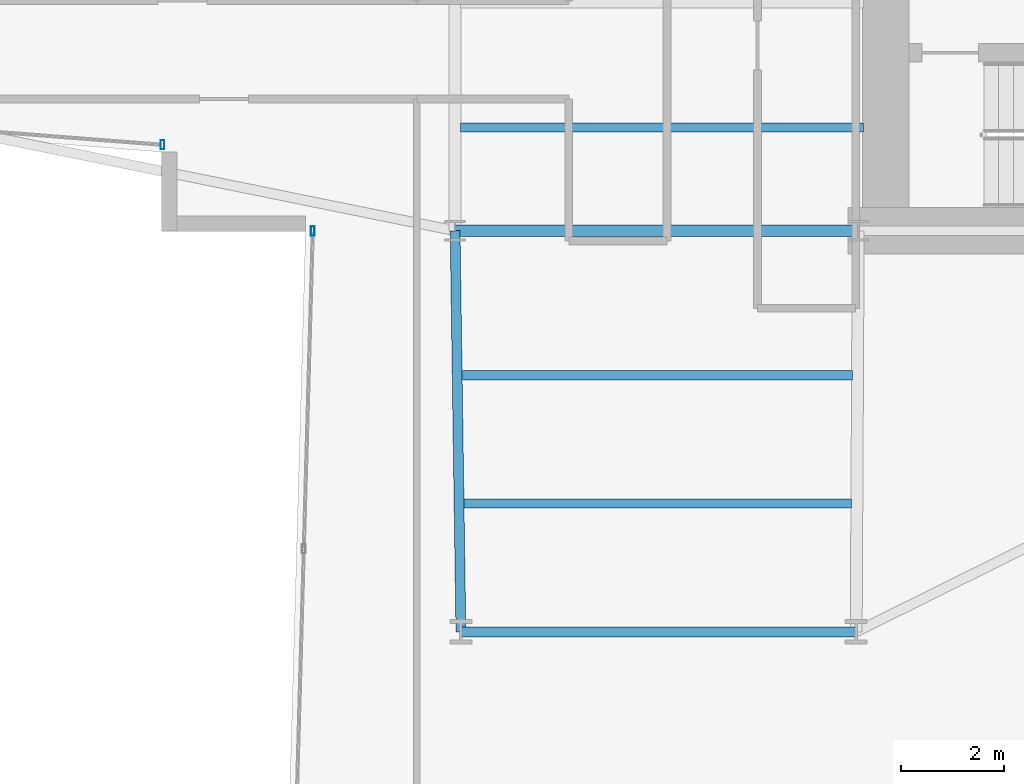
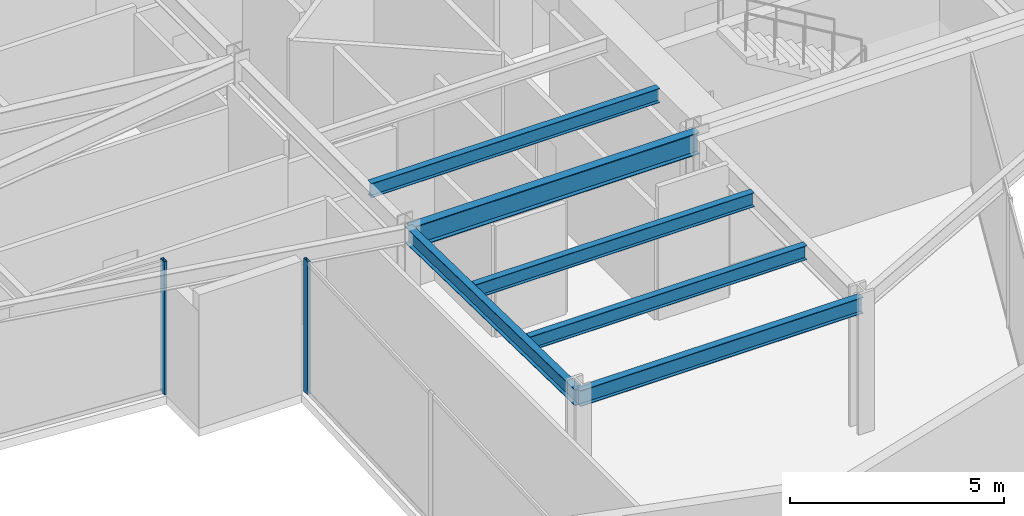
# One storey, part 5 of 30: 6 beams, 2 members, 2 elements without a shape of their own.
"""IFC4 building model written with IfcOpenShell, lengths in metres."""

from ifc_helpers import new_model, si_unit, direction, frame, origin, origin_2d, place, context, subcontext, project, spatial, hollow_rectangle, i_section, extrude, material, layer, layer_set, material_profile, profile_set, type_object, element, aggregate, save


model = new_model("IFC4")

# Units and contexts
model_context = context("Model", 3, precision=1e-05, world=origin(), true_north=direction((0.0, 1.0)))
body_context = subcontext(model_context, "Body", "Model", "MODEL_VIEW")
ifc_project = project(units=[si_unit("LENGTHUNIT", "METRE"), si_unit("AREAUNIT", "SQUARE_METRE"), si_unit("VOLUMEUNIT", "CUBIC_METRE"), si_unit("PLANEANGLEUNIT", "RADIAN"), si_unit("MASSUNIT", "GRAM", prefix="KILO")], contexts=[model_context])

# Site, building, storey
site_placement = place(None, origin())
site = spatial("IfcSite", under=ifc_project, at=site_placement, CompositionType="ELEMENT")
building_placement = place(site_placement, origin())
building = spatial("IfcBuilding", under=site, at=building_placement, Name="Veymaron Broadcast Tower", CompositionType="ELEMENT")
storey_placement = place(building_placement, frame((0.0, 0.0, 49.949951171875)))
storey = spatial("IfcBuildingStorey", under=building, at=storey_placement, Name="L10", CompositionType="ELEMENT", Elevation=49.949951171875)

# Beams
ifc_material_1 = material(Name="Structural steel ASTM A992 Gr 50", Category="steel")
ifc_material_profile_1 = material_profile(ifc_material_1, i_section(OverallWidth=0.22998046875, OverallDepth=0.616943359375, WebThickness=0.01318359375, FlangeThickness=0.022216796875, at=origin_2d()), Name="W610X140")
ifc_profile_set_1 = profile_set([ifc_material_profile_1], Name="Structural steel ASTM A992 Gr 50")
beam_type_1 = type_object("IfcBeamType", Name="BM-FG1", PredefinedType="BEAM", material=ifc_profile_set_1)
beam_1_placement = place(storey_placement, frame((31.199951171875, 16.0, 3.50146484375), z_axis=(1.0, 0.0, 0.0), x_axis=(0.0, 1.0, 0.0)))
element("IfcBeam", 1, at=beam_1_placement, inside=storey, type_object=beam_type_1, Name="L10 primary structural floor girder", PredefinedType="BEAM", context=body_context, shape_type="SweptSolid", body=[
    extrude(i_section(OverallWidth=0.22998046875, OverallDepth=0.616943359375, WebThickness=0.01318359375, FlangeThickness=0.022216796875, at=origin_2d()), origin(), (0.0, 0.0, 1.0), 7.800048828125),
])
ifc_material_profile_2 = material_profile(ifc_material_1, i_section(OverallWidth=0.177978515625, OverallDepth=0.406982421875, WebThickness=0.0078125, FlangeThickness=0.0126953125, at=origin_2d()), Name="W410X60")
ifc_profile_set_2 = profile_set([ifc_material_profile_2], Name="Structural steel ASTM A992 Gr 50")
beam_type_2 = type_object("IfcBeamType", Name="BM-JS1", PredefinedType="JOIST", material=ifc_profile_set_2)
beam_2_placement = place(storey_placement, frame((31.34033203125, 13.206298828125, 3.6064453125), z_axis=(1.0, 0.0, 0.0), x_axis=(0.0, 1.0, 0.0)))
element("IfcBeam", 2, at=beam_2_placement, inside=storey, type_object=beam_type_2, Name="L10 Arm-C secondary joist 1", PredefinedType="JOIST", context=body_context, shape_type="SweptSolid", body=[
    extrude(i_section(OverallWidth=0.177978515625, OverallDepth=0.406982421875, WebThickness=0.0078125, FlangeThickness=0.0126953125, at=origin_2d()), origin(), (0.0, 0.0, 1.0), 7.545166015625),
])
beam_3_placement = place(storey_placement, frame((31.376220703125, 10.72314453125, 3.6064453125), z_axis=(1.0, 0.0, 0.0), x_axis=(0.0, 1.0, 0.0)))
element("IfcBeam", 3, at=beam_3_placement, inside=storey, type_object=beam_type_2, Name="L10 Arm-C secondary joist 2", PredefinedType="JOIST", context=body_context, shape_type="SweptSolid", body=[
    extrude(i_section(OverallWidth=0.177978515625, OverallDepth=0.406982421875, WebThickness=0.0078125, FlangeThickness=0.0126953125, at=origin_2d()), origin(), (0.0, 0.0, 1.0), 7.49658203125),
])
beam_4_placement = place(storey_placement, frame((31.300048828125, 18.0, 3.6064453125), z_axis=(1.0, 0.0, 0.0), x_axis=(0.0, 1.0, 0.0)))
element("IfcBeam", 4, at=beam_4_placement, inside=storey, type_object=beam_type_2, Name="L10 Hub secondary joist 1", PredefinedType="JOIST", context=body_context, shape_type="SweptSolid", body=[
    extrude(i_section(OverallWidth=0.177978515625, OverallDepth=0.406982421875, WebThickness=0.0078125, FlangeThickness=0.0126953125, at=origin_2d()), origin(), (0.0, 0.0, 1.0), 7.800048828125),
])
ifc_material_profile_3 = material_profile(ifc_material_1, i_section(OverallWidth=0.19091796875, OverallDepth=0.4599609375, WebThickness=0.010009765625, FlangeThickness=0.01611328125, at=origin_2d()), Name="W460X82")
ifc_profile_set_3 = profile_set([ifc_material_profile_3], Name="Structural steel ASTM A992 Gr 50")
beam_type_3 = type_object("IfcBeamType", Name="BM-SP1", PredefinedType="SPANDREL", material=ifc_profile_set_3)
beam_5_placement = place(storey_placement, frame((31.199951171875, 16.0, 3.580078125), z_axis=(0.014439268475, -0.999895748329, 0.0), x_axis=(0.999895748329, 0.014439268475, 0.0)))
element("IfcBeam", 5, at=beam_5_placement, inside=storey, type_object=beam_type_3, Name="L10 primary structural floor girder", PredefinedType="SPANDREL", context=body_context, shape_type="SweptSolid", body=[
    extrude(i_section(OverallWidth=0.19091796875, OverallDepth=0.4599609375, WebThickness=0.010009765625, FlangeThickness=0.01611328125, at=origin_2d()), origin(), (0.0, 0.0, 1.0), 7.7607421875),
])
beam_6_placement = place(storey_placement, frame((31.31201171875, 8.239990234375, 3.580078125), z_axis=(1.0, 0.0, 0.0), x_axis=(0.0, 1.0, 0.0)))
element("IfcBeam", 6, at=beam_6_placement, inside=storey, type_object=beam_type_3, Name="L10 primary structural floor girder", PredefinedType="SPANDREL", context=body_context, shape_type="SweptSolid", body=[
    extrude(i_section(OverallWidth=0.19091796875, OverallDepth=0.4599609375, WebThickness=0.010009765625, FlangeThickness=0.01611328125, at=origin_2d()), origin(), (0.0, 0.0, 1.0), 7.64794921875),
])

# Curtain wall, member
ifc_material_2 = material(Name="Anodised aluminium AA 6063-T6 and laminated low-E dark glass", Category="aluminium")
ifc_layer = layer(ifc_material_2, 0.179931640625)
ifc_layer_set = layer_set([ifc_layer], Name="Anodised aluminium AA 6063-T6 and laminated low-E dark glass")
curtain_wall_type = type_object("IfcCurtainWallType", Name="CW-SYS-02", PredefinedType="NOTDEFINED", material=ifc_layer_set)
curtain_wall_1_placement = place(storey_placement, origin())
curtain_wall_1 = element("IfcCurtainWall", 7, at=curtain_wall_1_placement, inside=storey, type_object=curtain_wall_type, Name="L10 dark-glass curtain wall CW-L10-E14-1", PredefinedType="NOTDEFINED")
ifc_material_3 = material(Name="Anodised aluminium AA 6063-T6", Category="aluminium")
ifc_material_profile_4 = material_profile(ifc_material_3, hollow_rectangle(XDim=0.074951171875, YDim=0.179931640625, WallThickness=0.0048828125, at=origin_2d()), Name="AL180X75X5")
ifc_profile_set_4 = profile_set([ifc_material_profile_4], Name="Anodised aluminium AA 6063-T6")
member_type = type_object("IfcMemberType", Name="CW-MUL-02", PredefinedType="MULLION", material=ifc_profile_set_4)
member_1_placement = place(storey_placement, frame((25.538818359375, 17.66357421875, 0.0), z_axis=(0.0, 0.0, 1.0), x_axis=(1.0, 0.0, 0.0)))
member_1 = element("IfcMember", 8, at=member_1_placement, type_object=member_type, Name="CW-L10-E14-1 mullion 3", PredefinedType="MULLION", context=body_context, shape_type="SweptSolid", body=[
    extrude(hollow_rectangle(XDim=0.074951171875, YDim=0.179931640625, WallThickness=0.0048828125, at=origin_2d()), origin(), (0.0, 0.0, 1.0), 3.81005859375),
])
aggregate(curtain_wall_1, [member_1])

curtain_wall_2_placement = place(storey_placement, origin())
curtain_wall_2 = element("IfcCurtainWall", 9, at=curtain_wall_2_placement, inside=storey, type_object=curtain_wall_type, Name="L10 dark-glass curtain wall CW-L10-E17-1", PredefinedType="NOTDEFINED")
member_2_placement = place(storey_placement, frame((28.4453125, 15.99609375, 0.0), z_axis=(0.0, 0.0, 1.0), x_axis=(1.0, 0.0, 0.0)))
member_2 = element("IfcMember", 10, at=member_2_placement, type_object=member_type, Name="CW-L10-E17-1 mullion 0", PredefinedType="MULLION", context=body_context, shape_type="SweptSolid", body=[
    extrude(hollow_rectangle(XDim=0.074951171875, YDim=0.179931640625, WallThickness=0.0048828125, at=origin_2d()), origin(), (0.0, 0.0, 1.0), 3.81005859375),
])
aggregate(curtain_wall_2, [member_2])

save(model, "model.ifc")
